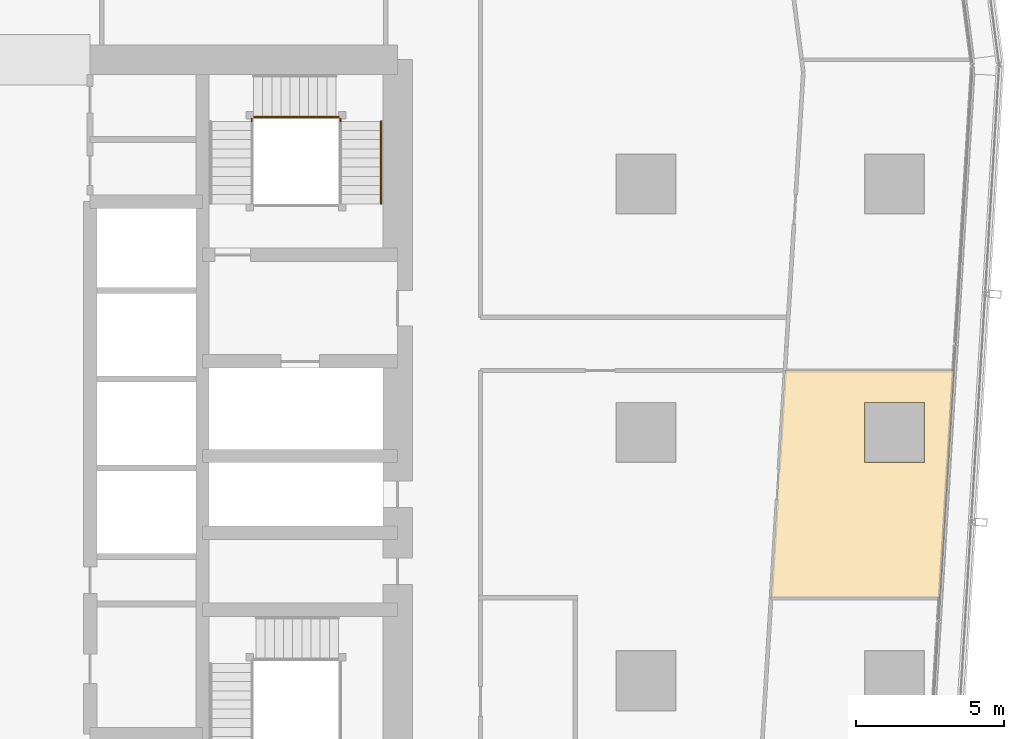
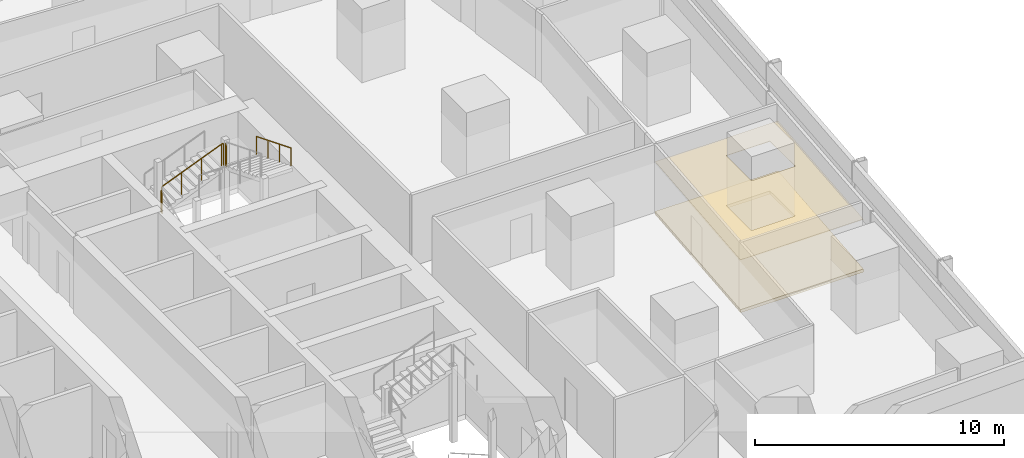
# One storey, part 35 of 36: 5 railings, 2 coverings.
"""IFC4 building model written with IfcOpenShell, lengths in metres."""

from ifc_helpers import new_model, si_unit, direction, frame, origin, origin_2d, place, context, subcontext, project, spatial, polyline, circle, outline, extrude, material, layer, layer_set, type_object, element, save


model = new_model("IFC4")

# Units and contexts
model_context = context("Model", 3, precision=1e-05, world=origin(), true_north=direction((0.0, 1.0)))
body_context = subcontext(model_context, "Body", "Model", "MODEL_VIEW")
ifc_project = project(units=[si_unit("LENGTHUNIT", "METRE"), si_unit("AREAUNIT", "SQUARE_METRE"), si_unit("VOLUMEUNIT", "CUBIC_METRE"), si_unit("PLANEANGLEUNIT", "RADIAN"), si_unit("MASSUNIT", "GRAM", prefix="KILO")], contexts=[model_context])

# Site, building, storey
site_placement = place(None, origin())
site = spatial("IfcSite", under=ifc_project, at=site_placement, CompositionType="ELEMENT")
building_placement = place(site_placement, origin())
building = spatial("IfcBuilding", under=site, at=building_placement, Name="Rekha Terrace Tower", CompositionType="ELEMENT")
storey_placement = place(building_placement, frame((0.0, 0.0, 144.050048828125)))
storey = spatial("IfcBuildingStorey", under=building, at=storey_placement, Name="L36", CompositionType="ELEMENT", Elevation=144.050048828125)

# Covering
ifc_material_1 = material(Name="Mineral fibre tile in exposed grid", Category="finish")
ifc_layer_1 = layer(ifc_material_1, 0.02001953125)
ifc_layer_set_1 = layer_set([ifc_layer_1], Name="Mineral fibre tile in exposed grid")
covering_type_1 = type_object("IfcCoveringType", Name="CL1 600x1200 office grid ceiling", PredefinedType="CEILING", material=ifc_layer_set_1)
covering_1_placement = place(storey_placement, frame((0.0, 0.0, 2.579833984375)))
element("IfcCovering", 1, at=covering_1_placement, inside=storey, type_object=covering_type_1, Name="Ceiling L36-03", PredefinedType="CEILING", context=body_context, shape_type="SweptSolid", body=[
    extrude(outline(polyline([(63.02392578125, 27.998046875), (68.735107421875, 27.998046875), (69.2060546875, 35.68603515625), (63.4951171875, 35.68603515625), (63.02392578125, 27.998046875)]), holes=[polyline([(68.215087890625, 34.614990234375), (68.215087890625, 32.5849609375), (66.18505859375, 32.5849609375), (66.18505859375, 34.614990234375), (68.215087890625, 34.614990234375)])]), origin(), (0.0, 0.0, 1.0), 0.02001953125),
])

# Railings
ifc_material_2 = material(Name="Stainless steel balustrade", Category="steel")
railing_type_1 = type_object("IfcRailingType", Name="GR1 1100 stair guard", PredefinedType="GUARDRAIL", material=ifc_material_2)
railing_1_placement = place(storey_placement, frame((45.52490234375, 44.260009765625, 1.375)))
element("IfcRailing", 2, at=railing_1_placement, inside=storey, type_object=railing_type_1, Name="Guard ST2 L36 flight 2", PredefinedType="GUARDRAIL", context=body_context, shape_type="SweptSolid", body=[
    extrude(circle(Radius=0.02392578125, at=origin_2d()), frame((0.0, 0.0, 1.076171875), z_axis=(0.927443287984, 0.0, 0.373963831907), x_axis=(0.0, 1.0, 0.0)), (0.0, 0.0, 1.0), 3.00830078125),
    extrude(circle(Radius=0.02099609375, at=origin_2d()), origin(), (0.0, 0.0, 1.0), 1.052001953125),
    extrude(circle(Radius=0.02099609375, at=origin_2d()), frame((0.929931640625, 0.0, 0.375)), (0.0, 0.0, 1.0), 1.052001953125),
    extrude(circle(Radius=0.02099609375, at=origin_2d()), frame((1.860107421875, 0.0, 0.75)), (0.0, 0.0, 1.0), 1.052001953125),
    extrude(circle(Radius=0.02099609375, at=origin_2d()), frame((2.7900390625, 0.0, 1.125)), (0.0, 0.0, 1.0), 1.052001953125),
])
railing_2_placement = place(storey_placement, frame((45.465087890625, 44.114990234375, 1.25)))
element("IfcRailing", 3, at=railing_2_placement, inside=storey, type_object=railing_type_1, Name="Guard ST2 L36 landing 1", PredefinedType="GUARDRAIL", context=body_context, shape_type="SweptSolid", body=[
    extrude(circle(Radius=0.02392578125, at=origin_2d()), frame((0.0, 0.0, 1.076171875), z_axis=(0.0, 1.0, 0.0), x_axis=(-1.0, 0.0, 0.0)), (0.0, 0.0, 1.0), 0.0849609375),
    extrude(circle(Radius=0.02099609375, at=origin_2d()), origin(), (0.0, 0.0, 1.0), 1.052001953125),
    extrude(circle(Radius=0.02099609375, at=origin_2d()), frame((0.0, 0.0849609375, 0.0)), (0.0, 0.0, 1.0), 1.052001953125),
])
railing_3_placement = place(storey_placement, frame((48.31494140625, 44.260009765625, 2.5)))
element("IfcRailing", 4, at=railing_3_placement, inside=storey, type_object=railing_type_1, Name="Guard ST2 L36 landing 2", PredefinedType="GUARDRAIL", context=body_context, shape_type="SweptSolid", body=[
    extrude(circle(Radius=0.02392578125, at=origin_2d()), frame((0.0, 0.0, 1.076171875), z_axis=(1.0, 0.0, 0.0), x_axis=(0.0, 1.0, 0.0)), (0.0, 0.0, 1.0), 0.0849609375),
    extrude(circle(Radius=0.02099609375, at=origin_2d()), origin(), (0.0, 0.0, 1.0), 1.052001953125),
    extrude(circle(Radius=0.02099609375, at=origin_2d()), frame((0.0849609375, 0.0, 0.0)), (0.0, 0.0, 1.0), 1.052001953125),
])
railing_4_placement = place(storey_placement, frame((48.4599609375, 44.114990234375, 2.5)))
element("IfcRailing", 5, at=railing_4_placement, inside=storey, type_object=railing_type_1, Name="Guard ST2 L36 landing 3", PredefinedType="GUARDRAIL", context=body_context, shape_type="SweptSolid", body=[
    extrude(circle(Radius=0.02392578125, at=origin_2d()), frame((0.0, 0.0, 1.076171875), z_axis=(0.0, 1.0, 0.0), x_axis=(-1.0, 0.0, 0.0)), (0.0, 0.0, 1.0), 0.0849609375),
    extrude(circle(Radius=0.02099609375, at=origin_2d()), origin(), (0.0, 0.0, 1.0), 1.052001953125),
    extrude(circle(Radius=0.02099609375, at=origin_2d()), frame((0.0, 0.0849609375, 0.0)), (0.0, 0.0, 1.0), 1.052001953125),
])
ifc_material_3 = material(Name="Stainless steel tube", Category="steel")
railing_type_2 = type_object("IfcRailingType", Name="HR1 900 stair handrail", PredefinedType="HANDRAIL", material=ifc_material_3)
railing_5_placement = place(storey_placement, frame((49.840087890625, 44.114990234375, 2.625)))
element("IfcRailing", 6, at=railing_5_placement, inside=storey, type_object=railing_type_2, Name="Handrail ST2 L36 flight 3", PredefinedType="HANDRAIL", context=body_context, shape_type="SweptSolid", body=[
    extrude(circle(Radius=0.02392578125, at=origin_2d()), frame((0.0, 0.0, 0.8759765625), z_axis=(0.0, -0.927443287984, 0.373963831907), x_axis=(1.0, 0.0, 0.0)), (0.0, 0.0, 1.0), 3.00830078125),
    extrude(circle(Radius=0.02099609375, at=origin_2d()), origin(), (0.0, 0.0, 1.0), 0.851806640625),
    extrude(circle(Radius=0.02099609375, at=origin_2d()), frame((0.0, -0.929931640625, 0.375)), (0.0, 0.0, 1.0), 0.851806640625),
    extrude(circle(Radius=0.02099609375, at=origin_2d()), frame((0.0, -1.860107421875, 0.75)), (0.0, 0.0, 1.0), 0.851806640625),
    extrude(circle(Radius=0.02099609375, at=origin_2d()), frame((0.0, -2.7900390625, 1.125)), (0.0, 0.0, 1.0), 0.851806640625),
])

# Covering
ifc_material_4 = material(Name="Calcium sulphate panels on steel pedestals", Category="steel")
ifc_layer_2 = layer(ifc_material_4, 0.14990234375)
ifc_layer_set_2 = layer_set([ifc_layer_2], Name="Calcium sulphate panels on steel pedestals")
covering_type_2 = type_object("IfcCoveringType", Name="RF1 150 raised access floor", PredefinedType="FLOORING", material=ifc_layer_set_2)
covering_2_placement = place(storey_placement, origin())
element("IfcCovering", 7, at=covering_2_placement, inside=storey, type_object=covering_type_2, Name="Raised floor L36-03", PredefinedType="FLOORING", context=body_context, shape_type="SweptSolid", body=[
    extrude(outline(polyline([(63.02392578125, 27.998046875), (68.735107421875, 27.998046875), (69.2060546875, 35.68603515625), (63.4951171875, 35.68603515625), (63.02392578125, 27.998046875)]), holes=[polyline([(68.215087890625, 34.614990234375), (68.215087890625, 32.5849609375), (66.18505859375, 32.5849609375), (66.18505859375, 34.614990234375), (68.215087890625, 34.614990234375)])]), origin(), (0.0, 0.0, 1.0), 0.14990234375),
])

save(model, "model.ifc")
